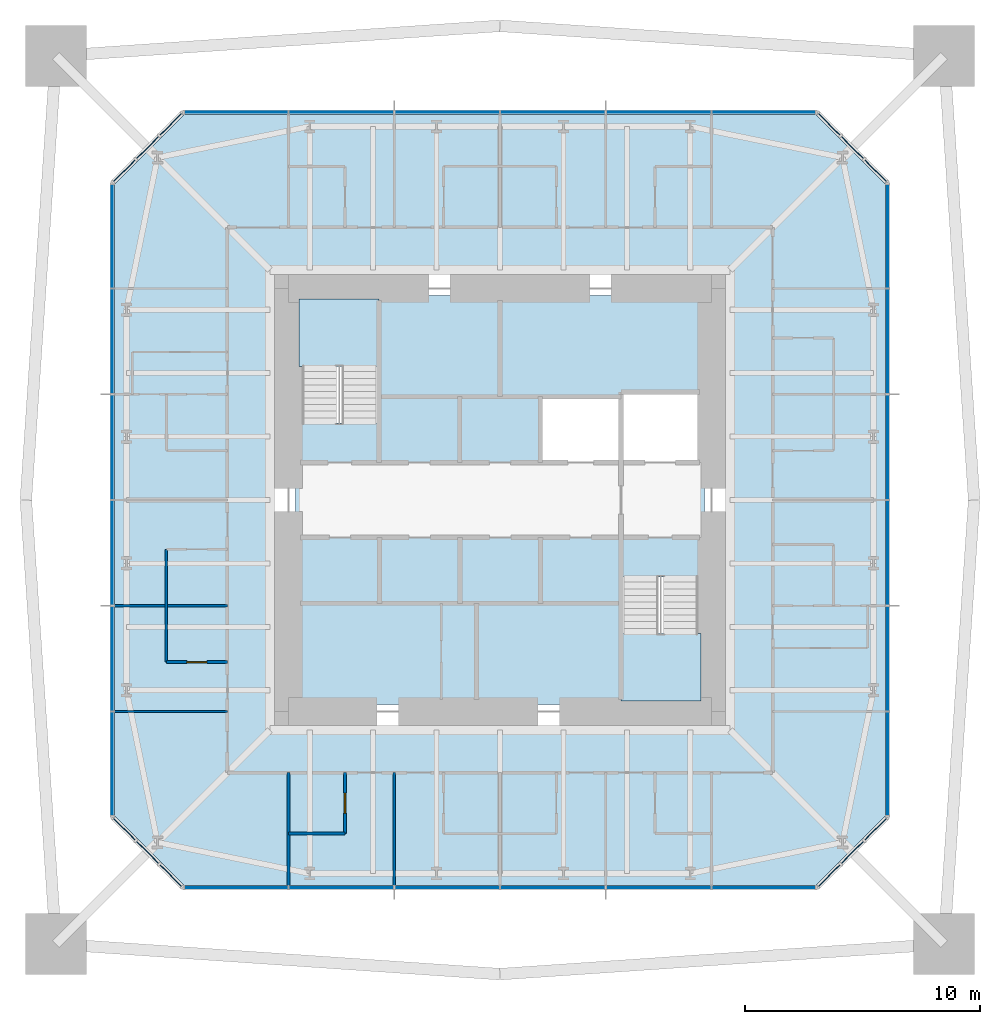
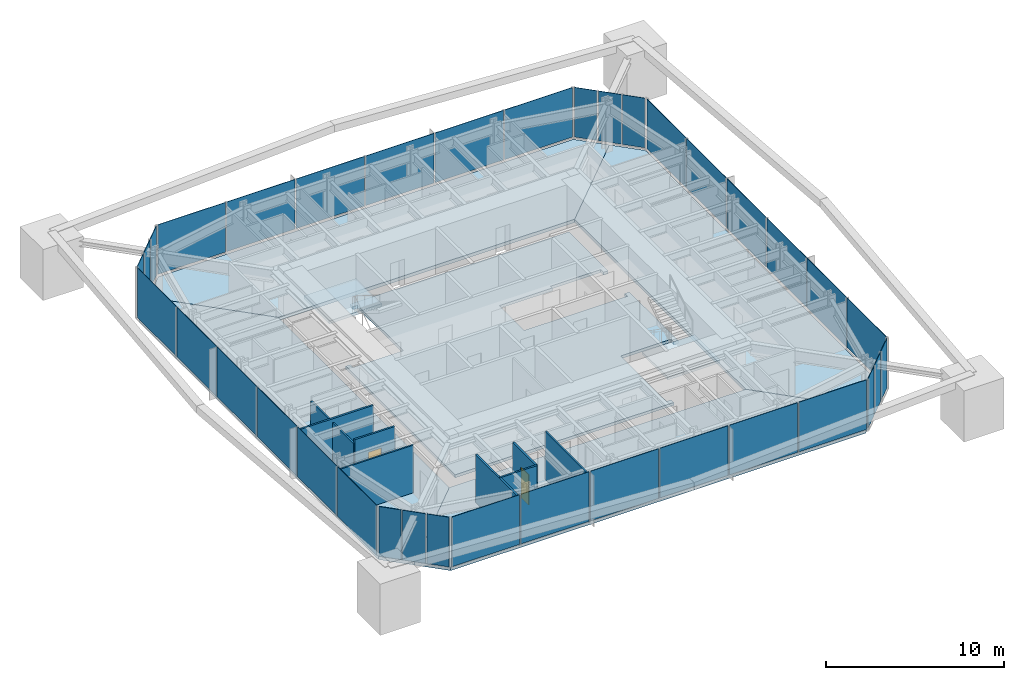
# One storey, part 6 of 11: 36 plates, 8 walls, 7 slabs, 2 doors, 2 openings, 10 elements without a shape of their own.
"""IFC4 building model written with IfcOpenShell, lengths in metres."""

import ifcopenshell
import ifcopenshell.guid

model = None  # the IFC model being written
_history = None  # IfcOwnerHistory: only IFC2X3 demands one
_inside = {}  # id of a spatial element -> (the spatial element, [elements in it])
_under = {}  # id of a project, library or spatial element -> (it, [spatial elements below it])
_declared = {}  # id of a project -> (the project, [libraries it declares])
_typed = {}  # id of a type object -> (the type object, [elements of that type])
_made_of = {}  # id of a material, layer set ... -> (it, [elements and type objects made of it])


def new_model(schema):
    """Start an empty IFC model of exactly this schema.

    Asked for "IFC4X3", IfcOpenShell would pick the latest addendum, in which some entities
    have other attributes; the version numbers below select the first issue.
    IFC2X3 requires an IfcOwnerHistory on every rooted entity: one is made here for all.
    """
    global model, _history
    if schema == "IFC4X3":
        model = ifcopenshell.file(schema_version=(4, 3, 0, 0))
    else:
        model = ifcopenshell.file(schema=schema)
    _inside.clear()
    _under.clear()
    _declared.clear()
    _typed.clear()
    _made_of.clear()
    _history = None
    if model.schema == "IFC2X3":
        org = make("IfcOrganization", Name="unknown")
        user = make(
            "IfcPersonAndOrganization",
            ThePerson=make("IfcPerson", FamilyName="unknown"),
            TheOrganization=org,
        )
        app = make(
            "IfcApplication",
            ApplicationDeveloper=org,
            Version="unknown",
            ApplicationFullName="unknown",
            ApplicationIdentifier="unknown",
        )
        _history = make(
            "IfcOwnerHistory",
            OwningUser=user,
            OwningApplication=app,
            ChangeAction="ADDED",
            CreationDate=0,
        )
    return model


def make(cls, **values):
    """One entity of the class cls with the attributes given. An attribute that is None is left unset."""
    return model.create_entity(
        cls, **{name: value for name, value in values.items() if value is not None}
    )


def rooted(cls, **values):
    """An entity with a GlobalId (a new one), such as an element, a storey or a relation."""
    return make(cls, GlobalId=ifcopenshell.guid.new(), OwnerHistory=_history, **values)


def si_unit(unit_type, name, prefix=None):
    """IfcSIUnit, for example si_unit("LENGTHUNIT", "METRE", prefix="MILLI")."""
    return make("IfcSIUnit", UnitType=unit_type, Prefix=prefix, Name=name)


def assignment(units):
    """IfcUnitAssignment: the units of a project."""
    return None if units is None else make("IfcUnitAssignment", Units=units)


def point(xyz):
    """IfcCartesianPoint."""
    return None if xyz is None else make("IfcCartesianPoint", Coordinates=xyz)


def direction(xyz):
    """IfcDirection."""
    return None if xyz is None else make("IfcDirection", DirectionRatios=xyz)


def frame(location, z_axis=None, x_axis=None):
    """IfcAxis2Placement3D, a coordinate frame: its origin and axes. An axis left out is left unset."""
    return make(
        "IfcAxis2Placement3D",
        Location=point(location),
        Axis=direction(z_axis),
        RefDirection=direction(x_axis),
    )


def frame_2d(location, x_axis=None):
    """IfcAxis2Placement2D, a coordinate frame in the plane: its origin and x axis."""
    return make(
        "IfcAxis2Placement2D", Location=point(location), RefDirection=direction(x_axis)
    )


def origin():
    """The frame at (0, 0, 0) with its axes left unset."""
    return frame((0.0, 0.0, 0.0))


def origin_2d():
    """The frame at (0, 0) in the plane with its x axis left unset."""
    return frame_2d((0.0, 0.0))


def place(relative_to, where):
    """IfcLocalPlacement: puts the frame where relative to a parent placement (None: the world)."""
    return make(
        "IfcLocalPlacement", PlacementRelTo=relative_to, RelativePlacement=where
    )


def context(
    kind, dimensions, precision=None, world=None, true_north=None, identifier=None
):
    """IfcGeometricRepresentationContext, for example the 3D "Model" context."""
    return make(
        "IfcGeometricRepresentationContext",
        ContextIdentifier=identifier,
        ContextType=kind,
        CoordinateSpaceDimension=dimensions,
        Precision=precision,
        WorldCoordinateSystem=world,
        TrueNorth=true_north,
    )


def subcontext(parent, identifier, kind, view, scale=None):
    """IfcGeometricRepresentationSubContext, for example "Body" below "Model"."""
    return make(
        "IfcGeometricRepresentationSubContext",
        ContextIdentifier=identifier,
        ContextType=kind,
        ParentContext=parent,
        TargetScale=scale,
        TargetView=view,
    )


def project(units=None, contexts=None):
    """IfcProject with its units and contexts."""
    return rooted(
        "IfcProject",
        Name="project",
        RepresentationContexts=contexts,
        UnitsInContext=assignment(units),
    )


def spatial(cls, under=None, at=None, **own):
    """A site, building, storey or space (cls), placed at a placement, below another one or the project."""
    s = rooted(cls, ObjectPlacement=at, **own)
    if under is not None:
        _under.setdefault(under.id(), (under, []))[1].append(s)
    return s


def polyline(points):
    """IfcPolyline through the points."""
    return make("IfcPolyline", Points=[point(p) for p in points])


def profile(cls, at=None, kind="AREA", **sizes):
    """A parametric profile (cls). Its sizes go by their IFC names, for example OverallWidth=200.0."""
    return make(cls, ProfileType=kind, Position=at, **sizes)


def rectangle(**sizes):
    """IfcRectangleProfileDef."""
    return profile("IfcRectangleProfileDef", **sizes)


def outline(outer, holes=None, kind="AREA"):
    """IfcArbitraryClosedProfileDef: a profile drawn as a closed curve; with holes, ...WithVoids."""
    if holes is None:
        return make("IfcArbitraryClosedProfileDef", ProfileType=kind, OuterCurve=outer)
    return make(
        "IfcArbitraryProfileDefWithVoids",
        ProfileType=kind,
        OuterCurve=outer,
        InnerCurves=holes,
    )


def extrude(swept, where, along, depth):
    """IfcExtrudedAreaSolid: the profile swept, set in the frame where, extruded along a direction by depth."""
    return make(
        "IfcExtrudedAreaSolid",
        SweptArea=swept,
        Position=where,
        ExtrudedDirection=direction(along),
        Depth=depth,
    )


def shape(context_of_items, identifier, shape_type, items):
    """IfcShapeRepresentation: the items that make up one representation, for example the "Body"."""
    return make(
        "IfcShapeRepresentation",
        ContextOfItems=context_of_items,
        RepresentationIdentifier=identifier,
        RepresentationType=shape_type,
        Items=items,
    )


def material(Name=None, Category=None):
    """IfcMaterial."""
    return make("IfcMaterial", Name=Name, Category=Category)


def layer(
    of_material, thickness, ventilated=None, Name=None, Category=None, Priority=None
):
    """IfcMaterialLayer: one layer of a wall or slab, of a material (None: an air gap)."""
    return make(
        "IfcMaterialLayer",
        Material=of_material,
        LayerThickness=thickness,
        IsVentilated=ventilated,
        Name=Name,
        Category=Category,
        Priority=Priority,
    )


def layer_set(layers, Name=None):
    """IfcMaterialLayerSet."""
    return make("IfcMaterialLayerSet", MaterialLayers=layers, LayerSetName=Name)


def constituent(of_material, Name=None, Category=None, fraction=None):
    """IfcMaterialConstituent: one of the materials an element consists of."""
    return make(
        "IfcMaterialConstituent",
        Name=Name,
        Material=of_material,
        Fraction=fraction,
        Category=Category,
    )


def constituent_set(constituents=None, Name=None):
    """IfcMaterialConstituentSet."""
    return make(
        "IfcMaterialConstituentSet", Name=Name, MaterialConstituents=constituents
    )


def made_of(thing, what):
    """Note that an element or type object is made of a material, layer set ...; save() writes the relation."""
    if what is not None:
        _made_of.setdefault(what.id(), (what, []))[1].append(thing)
    return thing


def type_object(cls, material=None, **own):
    """A type object (cls), such as IfcWallType, which elements share."""
    return made_of(rooted(cls, **own), material)


def element(
    cls,
    number,
    at=None,
    inside=None,
    cuts=None,
    type_object=None,
    material=None,
    context=None,
    identifier="Body",
    shape_type=None,
    held_by="IfcProductDefinitionShape",
    body=None,
    shapes=None,
    **own,
):
    """One element of the class cls, such as IfcWall. Its Tag is "e" and its number.

    at: its placement. inside: the storey or other place that contains it. cuts: it is an
    opening in that element (IfcRelVoidsElement). A single representation is given by context,
    identifier, shape_type and body (its items); several are given by shapes. held_by: the class
    of the entity that holds the representations. save() writes the other relations.
    """
    e = rooted(cls, Tag="e%d" % number, ObjectPlacement=at, **own)
    if body is not None:
        shapes = [shape(context, identifier, shape_type, body)]
    if shapes is not None:
        e.Representation = make(held_by, Representations=shapes)
    if inside is not None:
        _inside.setdefault(inside.id(), (inside, []))[1].append(e)
    if cuts is not None:
        rooted(
            "IfcRelVoidsElement", RelatingBuildingElement=cuts, RelatedOpeningElement=e
        )
    if type_object is not None:
        _typed.setdefault(type_object.id(), (type_object, []))[1].append(e)
    return made_of(e, material)


def fill(opening, filler):
    """IfcRelFillsElement: the door or window that sits in an opening."""
    return rooted(
        "IfcRelFillsElement",
        RelatingOpeningElement=opening,
        RelatedBuildingElement=filler,
    )


def aggregate(whole, parts):
    """IfcRelAggregates: a whole, such as a stair, and the parts it consists of."""
    return rooted("IfcRelAggregates", RelatingObject=whole, RelatedObjects=parts)


def save(model, path):
    """Write the relations noted so far, then the file.

    IfcRelAggregates (storeys below a building ...), IfcRelContainedInSpatialStructure (elements
    in a storey), IfcRelDefinesByType, IfcRelAssociatesMaterial and IfcRelDeclares: one each for
    every whole, place, type object, material and project.
    """
    for whole, parts in _under.values():
        aggregate(whole, parts)
    for where, things in _inside.values():
        rooted(
            "IfcRelContainedInSpatialStructure",
            RelatedElements=things,
            RelatingStructure=where,
        )
    for kind, things in _typed.values():
        rooted("IfcRelDefinesByType", RelatedObjects=things, RelatingType=kind)
    for what, things in _made_of.values():
        rooted("IfcRelAssociatesMaterial", RelatedObjects=things, RelatingMaterial=what)
    for by, libraries in _declared.values():
        rooted("IfcRelDeclares", RelatingContext=by, RelatedDefinitions=libraries)
    model.write(path)


model = new_model("IFC4")

# Units and contexts
model_context = context("Model", 3, precision=1e-05, world=origin(), true_north=direction((0.0, 1.0)))
body_context = subcontext(model_context, "Body", "Model", "MODEL_VIEW")
ifc_project = project(units=[si_unit("LENGTHUNIT", "METRE"), si_unit("AREAUNIT", "SQUARE_METRE"), si_unit("VOLUMEUNIT", "CUBIC_METRE"), si_unit("PLANEANGLEUNIT", "RADIAN"), si_unit("MASSUNIT", "GRAM", prefix="KILO")], contexts=[model_context])

# Site, building, storey
site_placement = place(None, origin())
site = spatial("IfcSite", under=ifc_project, at=site_placement, CompositionType="ELEMENT")
building_placement = place(site_placement, origin())
building = spatial("IfcBuilding", under=site, at=building_placement, Name="Iwan Alto Co-Living Towers", CompositionType="ELEMENT")
storey_placement = place(building_placement, frame((0.0, 0.0, 222.0)))
storey = spatial("IfcBuildingStorey", under=building, at=storey_placement, Name="L60", CompositionType="ELEMENT", Elevation=222.0)

# Slab
ifc_material_1 = material(Name="Concrete f'c 30 MPa", Category="concrete")
ifc_layer_1 = layer(ifc_material_1, 0.199951171875)
ifc_layer_set_1 = layer_set([ifc_layer_1], Name="CORE FLOOR SLAB 200")
slab_type_1 = type_object("IfcSlabType", Name="CORE FLOOR SLAB 200", PredefinedType="FLOOR", material=ifc_layer_set_1)
slab_1_placement = place(storey_placement, frame((0.0, 0.0, -0.199951171875)))
element("IfcSlab", 1, at=slab_1_placement, inside=storey, type_object=slab_type_1, Name="T1 core floor L60", PredefinedType="FLOOR", context=body_context, shape_type="SweptSolid", body=[
    extrude(outline(polyline([(-8.699951171875, 3.580078125), (-8.39990234375, 3.580078125), (-8.39990234375, 3.27001953125), (-5.14990234375, 3.27001953125), (-5.14990234375, 8.39990234375), (-5.4599609375, 8.39990234375), (-5.4599609375, 8.699951171875), (8.699951171875, 8.699951171875), (8.699951171875, 4.2900390625), (8.39990234375, 4.2900390625), (8.39990234375, 4.60009765625), (5.14990234375, 4.60009765625), (5.14990234375, 4.39990234375), (1.717041015625, 4.39990234375), (1.717041015625, 1.60009765625), (5.14990234375, 1.60009765625), (8.39990234375, 1.60009765625), (8.39990234375, 1.909912109375), (8.699951171875, 1.909912109375), (8.699951171875, -3.580078125), (8.39990234375, -3.580078125), (8.39990234375, -3.27001953125), (5.14990234375, -3.27001953125), (5.14990234375, -8.39990234375), (5.4599609375, -8.39990234375), (5.4599609375, -8.699951171875), (-8.699951171875, -8.699951171875), (-8.699951171875, 3.580078125)])), origin(), (0.0, 0.0, 1.0), 0.199951171875),
])

# Curtain wall, plates
ifc_material_2 = material(Name="Bronze aluminium unitised frame", Category="aluminium")
curtain_wall_type_1 = type_object("IfcCurtainWallType", Name="CURTAIN WALL CW-A", PredefinedType="NOTDEFINED", material=ifc_material_2)
curtain_wall_1_placement = place(storey_placement, origin())
curtain_wall_1 = element("IfcCurtainWall", 2, at=curtain_wall_1_placement, inside=storey, type_object=curtain_wall_type_1, Name="T1 curtain wall S L60", PredefinedType="NOTDEFINED")
ifc_material_3 = material(Name="Bronze-tinted insulating glass", Category="glass")
ifc_layer_2 = layer(ifc_material_3, 0.031982421875)
ifc_layer_set_2 = layer_set([ifc_layer_2], Name="CW-A PANEL TINTED IGU 32")
plate_type_1 = type_object("IfcPlateType", Name="CW-A PANEL TINTED IGU 32", PredefinedType="CURTAIN_PANEL", material=ifc_layer_set_2)
plate_1_placement = place(storey_placement, frame((-11.22998046875, -16.5, 0.10009765625), z_axis=(0.0, 0.0, 1.0), x_axis=(1.0, 0.0, 0.0)))
plate_1 = element("IfcPlate", 3, at=plate_1_placement, type_object=plate_type_1, Name="CW-A panel 1.1", PredefinedType="CURTAIN_PANEL", context=body_context, shape_type="SweptSolid", body=[
    extrude(rectangle(XDim=4.3798828125, YDim=0.031982421875, at=origin_2d()), origin(), (0.0, 0.0, 1.0), 3.39990234375),
])
plate_2_placement = place(storey_placement, frame((-6.75, -16.5, 0.10009765625), z_axis=(0.0, 0.0, 1.0), x_axis=(1.0, 0.0, 0.0)))
plate_2 = element("IfcPlate", 4, at=plate_2_placement, type_object=plate_type_1, Name="CW-A panel 2.1", PredefinedType="CURTAIN_PANEL", context=body_context, shape_type="SweptSolid", body=[
    extrude(rectangle(XDim=4.419921875, YDim=0.031982421875, at=origin_2d()), origin(), (0.0, 0.0, 1.0), 3.39990234375),
])
plate_3_placement = place(storey_placement, frame((-2.25, -16.5, 0.10009765625), z_axis=(0.0, 0.0, 1.0), x_axis=(1.0, 0.0, 0.0)))
plate_3 = element("IfcPlate", 5, at=plate_3_placement, type_object=plate_type_1, Name="CW-A panel 3.1", PredefinedType="CURTAIN_PANEL", context=body_context, shape_type="SweptSolid", body=[
    extrude(rectangle(XDim=4.419921875, YDim=0.031982421875, at=origin_2d()), origin(), (0.0, 0.0, 1.0), 3.39990234375),
])
plate_4_placement = place(storey_placement, frame((2.25, -16.5, 0.10009765625), z_axis=(0.0, 0.0, 1.0), x_axis=(1.0, 0.0, 0.0)))
plate_4 = element("IfcPlate", 6, at=plate_4_placement, type_object=plate_type_1, Name="CW-A panel 4.1", PredefinedType="CURTAIN_PANEL", context=body_context, shape_type="SweptSolid", body=[
    extrude(rectangle(XDim=4.419921875, YDim=0.031982421875, at=origin_2d()), origin(), (0.0, 0.0, 1.0), 3.39990234375),
])
plate_5_placement = place(storey_placement, frame((6.75, -16.5, 0.10009765625), z_axis=(0.0, 0.0, 1.0), x_axis=(1.0, 0.0, 0.0)))
plate_5 = element("IfcPlate", 7, at=plate_5_placement, type_object=plate_type_1, Name="CW-A panel 5.1", PredefinedType="CURTAIN_PANEL", context=body_context, shape_type="SweptSolid", body=[
    extrude(rectangle(XDim=4.419921875, YDim=0.031982421875, at=origin_2d()), origin(), (0.0, 0.0, 1.0), 3.39990234375),
])
plate_6_placement = place(storey_placement, frame((11.22998046875, -16.5, 0.10009765625), z_axis=(0.0, 0.0, 1.0), x_axis=(1.0, 0.0, 0.0)))
plate_6 = element("IfcPlate", 8, at=plate_6_placement, type_object=plate_type_1, Name="CW-A panel 6.1", PredefinedType="CURTAIN_PANEL", context=body_context, shape_type="SweptSolid", body=[
    extrude(rectangle(XDim=4.3798828125, YDim=0.031982421875, at=origin_2d()), origin(), (0.0, 0.0, 1.0), 3.39990234375),
])
aggregate(curtain_wall_1, [plate_1, plate_2, plate_3, plate_4, plate_5, plate_6])

curtain_wall_2_placement = place(storey_placement, origin())
curtain_wall_2 = element("IfcCurtainWall", 9, at=curtain_wall_2_placement, inside=storey, type_object=curtain_wall_type_1, Name="T1 curtain wall E L60", PredefinedType="NOTDEFINED")
plate_7_placement = place(storey_placement, frame((16.5, -11.22998046875, 0.10009765625), z_axis=(0.0, 0.0, 1.0), x_axis=(0.0, 1.0, 0.0)))
plate_7 = element("IfcPlate", 10, at=plate_7_placement, type_object=plate_type_1, Name="CW-A panel 1.1", PredefinedType="CURTAIN_PANEL", context=body_context, shape_type="SweptSolid", body=[
    extrude(rectangle(XDim=4.3798828125, YDim=0.031982421875, at=origin_2d()), origin(), (0.0, 0.0, 1.0), 3.39990234375),
])
plate_8_placement = place(storey_placement, frame((16.5, -6.75, 0.10009765625), z_axis=(0.0, 0.0, 1.0), x_axis=(0.0, 1.0, 0.0)))
plate_8 = element("IfcPlate", 11, at=plate_8_placement, type_object=plate_type_1, Name="CW-A panel 2.1", PredefinedType="CURTAIN_PANEL", context=body_context, shape_type="SweptSolid", body=[
    extrude(rectangle(XDim=4.419921875, YDim=0.031982421875, at=origin_2d()), origin(), (0.0, 0.0, 1.0), 3.39990234375),
])
plate_9_placement = place(storey_placement, frame((16.5, -2.25, 0.10009765625), z_axis=(0.0, 0.0, 1.0), x_axis=(0.0, 1.0, 0.0)))
plate_9 = element("IfcPlate", 12, at=plate_9_placement, type_object=plate_type_1, Name="CW-A panel 3.1", PredefinedType="CURTAIN_PANEL", context=body_context, shape_type="SweptSolid", body=[
    extrude(rectangle(XDim=4.419921875, YDim=0.031982421875, at=origin_2d()), origin(), (0.0, 0.0, 1.0), 3.39990234375),
])
plate_10_placement = place(storey_placement, frame((16.5, 2.25, 0.10009765625), z_axis=(0.0, 0.0, 1.0), x_axis=(0.0, 1.0, 0.0)))
plate_10 = element("IfcPlate", 13, at=plate_10_placement, type_object=plate_type_1, Name="CW-A panel 4.1", PredefinedType="CURTAIN_PANEL", context=body_context, shape_type="SweptSolid", body=[
    extrude(rectangle(XDim=4.419921875, YDim=0.031982421875, at=origin_2d()), origin(), (0.0, 0.0, 1.0), 3.39990234375),
])
plate_11_placement = place(storey_placement, frame((16.5, 6.75, 0.10009765625), z_axis=(0.0, 0.0, 1.0), x_axis=(0.0, 1.0, 0.0)))
plate_11 = element("IfcPlate", 14, at=plate_11_placement, type_object=plate_type_1, Name="CW-A panel 5.1", PredefinedType="CURTAIN_PANEL", context=body_context, shape_type="SweptSolid", body=[
    extrude(rectangle(XDim=4.419921875, YDim=0.031982421875, at=origin_2d()), origin(), (0.0, 0.0, 1.0), 3.39990234375),
])
plate_12_placement = place(storey_placement, frame((16.5, 11.22998046875, 0.10009765625), z_axis=(0.0, 0.0, 1.0), x_axis=(0.0, 1.0, 0.0)))
plate_12 = element("IfcPlate", 15, at=plate_12_placement, type_object=plate_type_1, Name="CW-A panel 6.1", PredefinedType="CURTAIN_PANEL", context=body_context, shape_type="SweptSolid", body=[
    extrude(rectangle(XDim=4.3798828125, YDim=0.031982421875, at=origin_2d()), origin(), (0.0, 0.0, 1.0), 3.39990234375),
])
aggregate(curtain_wall_2, [plate_7, plate_8, plate_9, plate_10, plate_11, plate_12])

curtain_wall_3_placement = place(storey_placement, origin())
curtain_wall_3 = element("IfcCurtainWall", 16, at=curtain_wall_3_placement, inside=storey, type_object=curtain_wall_type_1, Name="T1 curtain wall N L60", PredefinedType="NOTDEFINED")
plate_13_placement = place(storey_placement, frame((11.22998046875, 16.5, 0.10009765625), z_axis=(0.0, 0.0, 1.0), x_axis=(-1.0, 0.0, 0.0)))
plate_13 = element("IfcPlate", 17, at=plate_13_placement, type_object=plate_type_1, Name="CW-A panel 1.1", PredefinedType="CURTAIN_PANEL", context=body_context, shape_type="SweptSolid", body=[
    extrude(rectangle(XDim=4.3798828125, YDim=0.031982421875, at=origin_2d()), origin(), (0.0, 0.0, 1.0), 3.39990234375),
])
plate_14_placement = place(storey_placement, frame((6.75, 16.5, 0.10009765625), z_axis=(0.0, 0.0, 1.0), x_axis=(-1.0, 0.0, 0.0)))
plate_14 = element("IfcPlate", 18, at=plate_14_placement, type_object=plate_type_1, Name="CW-A panel 2.1", PredefinedType="CURTAIN_PANEL", context=body_context, shape_type="SweptSolid", body=[
    extrude(rectangle(XDim=4.419921875, YDim=0.031982421875, at=origin_2d()), origin(), (0.0, 0.0, 1.0), 3.39990234375),
])
plate_15_placement = place(storey_placement, frame((2.25, 16.5, 0.10009765625), z_axis=(0.0, 0.0, 1.0), x_axis=(-1.0, 0.0, 0.0)))
plate_15 = element("IfcPlate", 19, at=plate_15_placement, type_object=plate_type_1, Name="CW-A panel 3.1", PredefinedType="CURTAIN_PANEL", context=body_context, shape_type="SweptSolid", body=[
    extrude(rectangle(XDim=4.419921875, YDim=0.031982421875, at=origin_2d()), origin(), (0.0, 0.0, 1.0), 3.39990234375),
])
plate_16_placement = place(storey_placement, frame((-2.25, 16.5, 0.10009765625), z_axis=(0.0, 0.0, 1.0), x_axis=(-1.0, 0.0, 0.0)))
plate_16 = element("IfcPlate", 20, at=plate_16_placement, type_object=plate_type_1, Name="CW-A panel 4.1", PredefinedType="CURTAIN_PANEL", context=body_context, shape_type="SweptSolid", body=[
    extrude(rectangle(XDim=4.419921875, YDim=0.031982421875, at=origin_2d()), origin(), (0.0, 0.0, 1.0), 3.39990234375),
])
plate_17_placement = place(storey_placement, frame((-6.75, 16.5, 0.10009765625), z_axis=(0.0, 0.0, 1.0), x_axis=(-1.0, 0.0, 0.0)))
plate_17 = element("IfcPlate", 21, at=plate_17_placement, type_object=plate_type_1, Name="CW-A panel 5.1", PredefinedType="CURTAIN_PANEL", context=body_context, shape_type="SweptSolid", body=[
    extrude(rectangle(XDim=4.419921875, YDim=0.031982421875, at=origin_2d()), origin(), (0.0, 0.0, 1.0), 3.39990234375),
])
plate_18_placement = place(storey_placement, frame((-11.22998046875, 16.5, 0.10009765625), z_axis=(0.0, 0.0, 1.0), x_axis=(-1.0, 0.0, 0.0)))
plate_18 = element("IfcPlate", 22, at=plate_18_placement, type_object=plate_type_1, Name="CW-A panel 6.1", PredefinedType="CURTAIN_PANEL", context=body_context, shape_type="SweptSolid", body=[
    extrude(rectangle(XDim=4.3798828125, YDim=0.031982421875, at=origin_2d()), origin(), (0.0, 0.0, 1.0), 3.39990234375),
])
aggregate(curtain_wall_3, [plate_13, plate_14, plate_15, plate_16, plate_17, plate_18])

curtain_wall_4_placement = place(storey_placement, origin())
curtain_wall_4 = element("IfcCurtainWall", 23, at=curtain_wall_4_placement, inside=storey, type_object=curtain_wall_type_1, Name="T1 curtain wall W L60", PredefinedType="NOTDEFINED")
plate_19_placement = place(storey_placement, frame((-16.5, 11.22998046875, 0.10009765625), z_axis=(0.0, 0.0, 1.0), x_axis=(0.0, -1.0, 0.0)))
plate_19 = element("IfcPlate", 24, at=plate_19_placement, type_object=plate_type_1, Name="CW-A panel 1.1", PredefinedType="CURTAIN_PANEL", context=body_context, shape_type="SweptSolid", body=[
    extrude(rectangle(XDim=4.3798828125, YDim=0.031982421875, at=origin_2d()), origin(), (0.0, 0.0, 1.0), 3.39990234375),
])
plate_20_placement = place(storey_placement, frame((-16.5, 6.75, 0.10009765625), z_axis=(0.0, 0.0, 1.0), x_axis=(0.0, -1.0, 0.0)))
plate_20 = element("IfcPlate", 25, at=plate_20_placement, type_object=plate_type_1, Name="CW-A panel 2.1", PredefinedType="CURTAIN_PANEL", context=body_context, shape_type="SweptSolid", body=[
    extrude(rectangle(XDim=4.419921875, YDim=0.031982421875, at=origin_2d()), origin(), (0.0, 0.0, 1.0), 3.39990234375),
])
plate_21_placement = place(storey_placement, frame((-16.5, 2.25, 0.10009765625), z_axis=(0.0, 0.0, 1.0), x_axis=(0.0, -1.0, 0.0)))
plate_21 = element("IfcPlate", 26, at=plate_21_placement, type_object=plate_type_1, Name="CW-A panel 3.1", PredefinedType="CURTAIN_PANEL", context=body_context, shape_type="SweptSolid", body=[
    extrude(rectangle(XDim=4.419921875, YDim=0.031982421875, at=origin_2d()), origin(), (0.0, 0.0, 1.0), 3.39990234375),
])
plate_22_placement = place(storey_placement, frame((-16.5, -2.25, 0.10009765625), z_axis=(0.0, 0.0, 1.0), x_axis=(0.0, -1.0, 0.0)))
plate_22 = element("IfcPlate", 27, at=plate_22_placement, type_object=plate_type_1, Name="CW-A panel 4.1", PredefinedType="CURTAIN_PANEL", context=body_context, shape_type="SweptSolid", body=[
    extrude(rectangle(XDim=4.419921875, YDim=0.031982421875, at=origin_2d()), origin(), (0.0, 0.0, 1.0), 3.39990234375),
])
plate_23_placement = place(storey_placement, frame((-16.5, -6.75, 0.10009765625), z_axis=(0.0, 0.0, 1.0), x_axis=(0.0, -1.0, 0.0)))
plate_23 = element("IfcPlate", 28, at=plate_23_placement, type_object=plate_type_1, Name="CW-A panel 5.1", PredefinedType="CURTAIN_PANEL", context=body_context, shape_type="SweptSolid", body=[
    extrude(rectangle(XDim=4.419921875, YDim=0.031982421875, at=origin_2d()), origin(), (0.0, 0.0, 1.0), 3.39990234375),
])
plate_24_placement = place(storey_placement, frame((-16.5, -11.22998046875, 0.10009765625), z_axis=(0.0, 0.0, 1.0), x_axis=(0.0, -1.0, 0.0)))
plate_24 = element("IfcPlate", 29, at=plate_24_placement, type_object=plate_type_1, Name="CW-A panel 6.1", PredefinedType="CURTAIN_PANEL", context=body_context, shape_type="SweptSolid", body=[
    extrude(rectangle(XDim=4.3798828125, YDim=0.031982421875, at=origin_2d()), origin(), (0.0, 0.0, 1.0), 3.39990234375),
])
aggregate(curtain_wall_4, [plate_19, plate_20, plate_21, plate_22, plate_23, plate_24])

ifc_material_4 = material(Name="Bronze aluminium unitised frame", Category="aluminium")
curtain_wall_type_2 = type_object("IfcCurtainWallType", Name="CURTAIN WALL CW-B", PredefinedType="NOTDEFINED", material=ifc_material_4)
curtain_wall_5_placement = place(storey_placement, origin())
curtain_wall_5 = element("IfcCurtainWall", 30, at=curtain_wall_5_placement, inside=storey, type_object=curtain_wall_type_2, Name="T1 chamfer curtain wall SE L60", PredefinedType="NOTDEFINED")
ifc_material_5 = material(Name="Bronze-tinted insulating glass", Category="glass")
ifc_layer_3 = layer(ifc_material_5, 0.031982421875)
ifc_layer_set_3 = layer_set([ifc_layer_3], Name="CW-B PANEL TINTED IGU 32")
plate_type_2 = type_object("IfcPlateType", Name="CW-B PANEL TINTED IGU 32", PredefinedType="CURTAIN_PANEL", material=ifc_layer_set_3)
plate_25_placement = place(storey_placement, frame((14.01416015625, -15.98583984375, 0.10009765625), z_axis=(0.0, 0.0, 1.0), x_axis=(0.707106781187, 0.707106781187, 0.0)))
plate_25 = element("IfcPlate", 31, at=plate_25_placement, type_object=plate_type_2, Name="CW-B panel 1.1", PredefinedType="CURTAIN_PANEL", context=body_context, shape_type="SweptSolid", body=[
    extrude(rectangle(XDim=1.294189453125, YDim=0.031982421875, at=origin_2d()), origin(), (0.0, 0.0, 1.0), 3.39990234375),
])
plate_26_placement = place(storey_placement, frame((15.0, -15.0, 0.10009765625), z_axis=(0.0, 0.0, 1.0), x_axis=(0.707106781187, 0.707106781187, 0.0)))
plate_26 = element("IfcPlate", 32, at=plate_26_placement, type_object=plate_type_2, Name="CW-B panel 2.1", PredefinedType="CURTAIN_PANEL", context=body_context, shape_type="SweptSolid", body=[
    extrude(rectangle(XDim=1.334228515625, YDim=0.031982421875, at=origin_2d()), origin(), (0.0, 0.0, 1.0), 3.39990234375),
])
plate_27_placement = place(storey_placement, frame((15.98583984375, -14.01416015625, 0.10009765625), z_axis=(0.0, 0.0, 1.0), x_axis=(0.707106781187, 0.707106781187, 0.0)))
plate_27 = element("IfcPlate", 33, at=plate_27_placement, type_object=plate_type_2, Name="CW-B panel 3.1", PredefinedType="CURTAIN_PANEL", context=body_context, shape_type="SweptSolid", body=[
    extrude(rectangle(XDim=1.294189453125, YDim=0.031982421875, at=origin_2d()), origin(), (0.0, 0.0, 1.0), 3.39990234375),
])
aggregate(curtain_wall_5, [plate_25, plate_26, plate_27])

curtain_wall_6_placement = place(storey_placement, origin())
curtain_wall_6 = element("IfcCurtainWall", 34, at=curtain_wall_6_placement, inside=storey, type_object=curtain_wall_type_2, Name="T1 chamfer curtain wall NE L60", PredefinedType="NOTDEFINED")
plate_28_placement = place(storey_placement, frame((15.98583984375, 14.01416015625, 0.10009765625), z_axis=(0.0, 0.0, 1.0), x_axis=(-0.707106781187, 0.707106781187, 0.0)))
plate_28 = element("IfcPlate", 35, at=plate_28_placement, type_object=plate_type_2, Name="CW-B panel 1.1", PredefinedType="CURTAIN_PANEL", context=body_context, shape_type="SweptSolid", body=[
    extrude(rectangle(XDim=1.294189453125, YDim=0.031982421875, at=origin_2d()), origin(), (0.0, 0.0, 1.0), 3.39990234375),
])
plate_29_placement = place(storey_placement, frame((15.0, 15.0, 0.10009765625), z_axis=(0.0, 0.0, 1.0), x_axis=(-0.707106781187, 0.707106781187, 0.0)))
plate_29 = element("IfcPlate", 36, at=plate_29_placement, type_object=plate_type_2, Name="CW-B panel 2.1", PredefinedType="CURTAIN_PANEL", context=body_context, shape_type="SweptSolid", body=[
    extrude(rectangle(XDim=1.334228515625, YDim=0.031982421875, at=origin_2d()), origin(), (0.0, 0.0, 1.0), 3.39990234375),
])
plate_30_placement = place(storey_placement, frame((14.01416015625, 15.98583984375, 0.10009765625), z_axis=(0.0, 0.0, 1.0), x_axis=(-0.707106781187, 0.707106781187, 0.0)))
plate_30 = element("IfcPlate", 37, at=plate_30_placement, type_object=plate_type_2, Name="CW-B panel 3.1", PredefinedType="CURTAIN_PANEL", context=body_context, shape_type="SweptSolid", body=[
    extrude(rectangle(XDim=1.294189453125, YDim=0.031982421875, at=origin_2d()), origin(), (0.0, 0.0, 1.0), 3.39990234375),
])
aggregate(curtain_wall_6, [plate_28, plate_29, plate_30])

curtain_wall_7_placement = place(storey_placement, origin())
curtain_wall_7 = element("IfcCurtainWall", 38, at=curtain_wall_7_placement, inside=storey, type_object=curtain_wall_type_2, Name="T1 chamfer curtain wall NW L60", PredefinedType="NOTDEFINED")
plate_31_placement = place(storey_placement, frame((-14.01416015625, 15.98583984375, 0.10009765625), z_axis=(0.0, 0.0, 1.0), x_axis=(-0.707106781187, -0.707106781187, 0.0)))
plate_31 = element("IfcPlate", 39, at=plate_31_placement, type_object=plate_type_2, Name="CW-B panel 1.1", PredefinedType="CURTAIN_PANEL", context=body_context, shape_type="SweptSolid", body=[
    extrude(rectangle(XDim=1.294189453125, YDim=0.031982421875, at=origin_2d()), origin(), (0.0, 0.0, 1.0), 3.39990234375),
])
plate_32_placement = place(storey_placement, frame((-15.0, 15.0, 0.10009765625), z_axis=(0.0, 0.0, 1.0), x_axis=(-0.707106781187, -0.707106781187, 0.0)))
plate_32 = element("IfcPlate", 40, at=plate_32_placement, type_object=plate_type_2, Name="CW-B panel 2.1", PredefinedType="CURTAIN_PANEL", context=body_context, shape_type="SweptSolid", body=[
    extrude(rectangle(XDim=1.334228515625, YDim=0.031982421875, at=origin_2d()), origin(), (0.0, 0.0, 1.0), 3.39990234375),
])
plate_33_placement = place(storey_placement, frame((-15.98583984375, 14.01416015625, 0.10009765625), z_axis=(0.0, 0.0, 1.0), x_axis=(-0.707106781187, -0.707106781187, 0.0)))
plate_33 = element("IfcPlate", 41, at=plate_33_placement, type_object=plate_type_2, Name="CW-B panel 3.1", PredefinedType="CURTAIN_PANEL", context=body_context, shape_type="SweptSolid", body=[
    extrude(rectangle(XDim=1.294189453125, YDim=0.031982421875, at=origin_2d()), origin(), (0.0, 0.0, 1.0), 3.39990234375),
])
aggregate(curtain_wall_7, [plate_31, plate_32, plate_33])

curtain_wall_8_placement = place(storey_placement, origin())
curtain_wall_8 = element("IfcCurtainWall", 42, at=curtain_wall_8_placement, inside=storey, type_object=curtain_wall_type_2, Name="T1 chamfer curtain wall SW L60", PredefinedType="NOTDEFINED")
plate_34_placement = place(storey_placement, frame((-15.98583984375, -14.01416015625, 0.10009765625), z_axis=(0.0, 0.0, 1.0), x_axis=(0.707106781187, -0.707106781187, 0.0)))
plate_34 = element("IfcPlate", 43, at=plate_34_placement, type_object=plate_type_2, Name="CW-B panel 1.1", PredefinedType="CURTAIN_PANEL", context=body_context, shape_type="SweptSolid", body=[
    extrude(rectangle(XDim=1.294189453125, YDim=0.031982421875, at=origin_2d()), origin(), (0.0, 0.0, 1.0), 3.39990234375),
])
plate_35_placement = place(storey_placement, frame((-15.0, -15.0, 0.10009765625), z_axis=(0.0, 0.0, 1.0), x_axis=(0.707106781187, -0.707106781187, 0.0)))
plate_35 = element("IfcPlate", 44, at=plate_35_placement, type_object=plate_type_2, Name="CW-B panel 2.1", PredefinedType="CURTAIN_PANEL", context=body_context, shape_type="SweptSolid", body=[
    extrude(rectangle(XDim=1.334228515625, YDim=0.031982421875, at=origin_2d()), origin(), (0.0, 0.0, 1.0), 3.39990234375),
])
plate_36_placement = place(storey_placement, frame((-14.01416015625, -15.98583984375, 0.10009765625), z_axis=(0.0, 0.0, 1.0), x_axis=(0.707106781187, -0.707106781187, 0.0)))
plate_36 = element("IfcPlate", 45, at=plate_36_placement, type_object=plate_type_2, Name="CW-B panel 3.1", PredefinedType="CURTAIN_PANEL", context=body_context, shape_type="SweptSolid", body=[
    extrude(rectangle(XDim=1.294189453125, YDim=0.031982421875, at=origin_2d()), origin(), (0.0, 0.0, 1.0), 3.39990234375),
])
aggregate(curtain_wall_8, [plate_34, plate_35, plate_36])

# Stair, slab
ifc_material_6 = material(Name="Steel ASTM A36", Category="steel")
ifc_constituent_1 = constituent(ifc_material_6, Name="Stringers", Category="LoadBearing")
ifc_material_7 = material(Name="Concrete f'c 30 MPa", Category="concrete")
ifc_constituent_2 = constituent(ifc_material_7, Name="Tread fill", Category="Finish")
ifc_constituent_set = constituent_set(constituents=[ifc_constituent_1, ifc_constituent_2], Name="STAIR 3500 TWO-FLIGHT T1 CORE")
stair_type = type_object("IfcStairType", Name="STAIR 3500 TWO-FLIGHT T1 CORE", PredefinedType="HALF_TURN_STAIR", material=ifc_constituent_set)
stair_1_placement = place(storey_placement, origin())
stair_1 = element("IfcStair", 46, at=stair_1_placement, inside=storey, type_object=stair_type, Name="Stair T1-S1 L60 to L61", PredefinedType="HALF_TURN_STAIR")
ifc_material_8 = material(Name="Concrete f'c 30 MPa", Category="concrete")
ifc_layer_4 = layer(ifc_material_8, 0.199951171875)
ifc_layer_set_4 = layer_set([ifc_layer_4], Name="STAIR LANDING 200")
slab_type_2 = type_object("IfcSlabType", Name="STAIR LANDING 200", PredefinedType="LANDING", material=ifc_layer_set_4)
slab_2_placement = place(storey_placement, frame((0.0, 0.0, 1.550048828125)))
slab_2 = element("IfcSlab", 47, at=slab_2_placement, type_object=slab_type_2, Name="T1-S1 landing 1", PredefinedType="LANDING", context=body_context, shape_type="SweptSolid", body=[
    extrude(outline(polyline([(-8.550048828125, 5.68994140625), (-8.550048828125, 8.550048828125), (-5.14990234375, 8.550048828125), (-5.14990234375, 5.68994140625), (-8.550048828125, 5.68994140625)])), origin(), (0.0, 0.0, 1.0), 0.199951171875),
])
aggregate(stair_1, [slab_2])

stair_2_placement = place(storey_placement, origin())
stair_2 = element("IfcStair", 48, at=stair_2_placement, inside=storey, type_object=stair_type, Name="Stair T1-S2 L60 to L61", PredefinedType="HALF_TURN_STAIR")
slab_3_placement = place(storey_placement, frame((0.0, 0.0, 1.550048828125)))
slab_3 = element("IfcSlab", 49, at=slab_3_placement, type_object=slab_type_2, Name="T1-S2 landing 1", PredefinedType="LANDING", context=body_context, shape_type="SweptSolid", body=[
    extrude(outline(polyline([(5.14990234375, -5.68994140625), (5.14990234375, -8.550048828125), (8.550048828125, -8.550048828125), (8.550048828125, -5.68994140625), (5.14990234375, -5.68994140625)])), origin(), (0.0, 0.0, 1.0), 0.199951171875),
])
aggregate(stair_2, [slab_3])

# Slabs
ifc_material_9 = material(Name="Concrete f'c 30 MPa", Category="concrete")
ifc_layer_5 = layer(ifc_material_9, 0.22998046875)
ifc_layer_set_5 = layer_set([ifc_layer_5], Name="T1 FLOOR SLAB 230")
slab_type_3 = type_object("IfcSlabType", Name="T1 FLOOR SLAB 230", PredefinedType="FLOOR", material=ifc_layer_set_5)
slab_4_placement = place(storey_placement, frame((0.0, 0.0, -0.22998046875)))
element("IfcSlab", 50, at=slab_4_placement, inside=storey, type_object=slab_type_3, Name="T1 floor slab L60 S pour", PredefinedType="FLOOR", context=body_context, shape_type="SweptSolid", body=[
    extrude(outline(polyline([(13.44140625, -16.39990234375), (-13.44140625, -16.39990234375), (-14.920654296875, -14.920654296875), (-9.60009765625, -9.60009765625), (9.60009765625, -9.60009765625), (14.920654296875, -14.920654296875), (13.44140625, -16.39990234375)])), origin(), (0.0, 0.0, 1.0), 0.22998046875),
])
slab_5_placement = place(storey_placement, frame((0.0, 0.0, -0.22998046875)))
element("IfcSlab", 51, at=slab_5_placement, inside=storey, type_object=slab_type_3, Name="T1 floor slab L60 E pour", PredefinedType="FLOOR", context=body_context, shape_type="SweptSolid", body=[
    extrude(outline(polyline([(16.39990234375, 13.44140625), (16.39990234375, -13.44140625), (14.920654296875, -14.920654296875), (9.60009765625, -9.60009765625), (9.60009765625, 9.60009765625), (14.920654296875, 14.920654296875), (16.39990234375, 13.44140625)])), origin(), (0.0, 0.0, 1.0), 0.22998046875),
])
slab_6_placement = place(storey_placement, frame((0.0, 0.0, -0.22998046875)))
element("IfcSlab", 52, at=slab_6_placement, inside=storey, type_object=slab_type_3, Name="T1 floor slab L60 N pour", PredefinedType="FLOOR", context=body_context, shape_type="SweptSolid", body=[
    extrude(outline(polyline([(-13.44140625, 16.39990234375), (13.44140625, 16.39990234375), (14.920654296875, 14.920654296875), (9.60009765625, 9.60009765625), (-9.60009765625, 9.60009765625), (-14.920654296875, 14.920654296875), (-13.44140625, 16.39990234375)])), origin(), (0.0, 0.0, 1.0), 0.22998046875),
])
slab_7_placement = place(storey_placement, frame((0.0, 0.0, -0.22998046875)))
element("IfcSlab", 53, at=slab_7_placement, inside=storey, type_object=slab_type_3, Name="T1 floor slab L60 W pour", PredefinedType="FLOOR", context=body_context, shape_type="SweptSolid", body=[
    extrude(outline(polyline([(-16.39990234375, 13.44140625), (-14.920654296875, 14.920654296875), (-9.60009765625, 9.60009765625), (-9.60009765625, -9.60009765625), (-14.920654296875, -14.920654296875), (-16.39990234375, -13.44140625), (-16.39990234375, 13.44140625)])), origin(), (0.0, 0.0, 1.0), 0.22998046875),
])

# Walls
ifc_material_10 = material(Name="Gypsum board")
ifc_layer_6 = layer(ifc_material_10, 0.012451171875, Name="Board", Category="Finish")
ifc_material_11 = material(Name="Steel ASTM A1003 ST33H cold-formed studs", Category="steel")
ifc_layer_7 = layer(ifc_material_11, 0.074951171875, Name="Studs", Category="Framing")
ifc_layer_8 = layer(ifc_material_10, 0.012451171875, Name="Board", Category="Finish")
ifc_layer_set_6 = layer_set([ifc_layer_6, ifc_layer_7, ifc_layer_8], Name="PARTITION 100")
wall_type_1 = type_object("IfcWallType", Name="PARTITION 100", PredefinedType="PARTITIONING", material=ifc_layer_set_6)
for number, where, z_axis, x_axis, name in (
    (54, (-16.43994140625, -9.0, 0.0), (0.0, 0.0, 1.0), (1.0, 0.0, 0.0), "Partition L60"),
    (55, (-4.5, -16.43994140625, 0.0), (0.0, 0.0, 1.0), (0.0, 1.0, 0.0), "Partition L60"),
):
    element("IfcWall", number, at=place(storey_placement, frame(where, z_axis=z_axis, x_axis=x_axis)), inside=storey, type_object=wall_type_1, Name=name, PredefinedType="PARTITIONING", context=body_context, shape_type="SweptSolid", body=[
        extrude(rectangle(XDim=4.83984375, YDim=0.10009765625, at=frame_2d((2.419921875, 0.0))), origin(), (0.0, 0.0, 1.0), 3.27001953125),
    ])
wall_1_placement = place(storey_placement, frame((-14.199951171875, -6.89990234375, 0.0), z_axis=(0.0, 0.0, 1.0), x_axis=(0.0, 1.0, 0.0)))
element("IfcWall", 56, at=wall_1_placement, inside=storey, type_object=wall_type_1, Name="Partition L60", PredefinedType="PARTITIONING", context=body_context, shape_type="SweptSolid", body=[
    extrude(rectangle(XDim=4.7998046875, YDim=0.10009765625, at=frame_2d((2.39990234375, 0.0))), origin(), (0.0, 0.0, 1.0), 3.0),
])
ifc_material_12 = material(Name="Cement board")
ifc_layer_9 = layer(ifc_material_12, 0.012451171875, Name="Board", Category="Finish")
ifc_layer_10 = layer(ifc_material_11, 0.094970703125, Name="Studs", Category="Framing")
ifc_layer_11 = layer(ifc_material_12, 0.012451171875, Name="Board", Category="Finish")
ifc_layer_set_7 = layer_set([ifc_layer_9, ifc_layer_10, ifc_layer_11], Name="WET AREA PARTITION 120")
wall_type_2 = type_object("IfcWallType", Name="WET AREA PARTITION 120", PredefinedType="PARTITIONING", material=ifc_layer_set_7)
wall_2_placement = place(storey_placement, frame((-9.0, -14.199951171875, 0.0), z_axis=(0.0, 0.0, 1.0), x_axis=(1.0, 0.0, 0.0)))
element("IfcWall", 57, at=wall_2_placement, inside=storey, type_object=wall_type_2, Name="Partition L60", PredefinedType="PARTITIONING", context=body_context, shape_type="SweptSolid", body=[
    extrude(rectangle(XDim=2.39990234375, YDim=0.1201171875, at=frame_2d((1.199951171875, 0.0))), origin(), (0.0, 0.0, 1.0), 3.27001953125),
])

# Wall, opening, door
wall_3_placement = place(storey_placement, frame((-14.199951171875, -6.89990234375, 0.0), z_axis=(0.0, 0.0, 1.0), x_axis=(1.0, 0.0, 0.0)))
wall_3 = element("IfcWall", 58, at=wall_3_placement, inside=storey, type_object=wall_type_2, Name="Partition L60", PredefinedType="PARTITIONING", context=body_context, shape_type="SweptSolid", body=[
    extrude(rectangle(XDim=2.599853515625, YDim=0.1201171875, at=frame_2d((1.2998046875, 0.0))), origin(), (0.0, 0.0, 1.0), 3.27001953125),
])
opening_1_placement = place(wall_3_placement, frame((0.875, 0.0, 0.0)))
opening_1 = element("IfcOpeningElement", 59, at=opening_1_placement, cuts=wall_3, Name="Opening D2", PredefinedType="OPENING", context=body_context, shape_type="SweptSolid", body=[
    extrude(rectangle(XDim=0.85009765625, YDim=2.10009765625, at=frame_2d((0.425048828125, 1.050048828125))), frame((0.0, 0.070068359375, 0.0), z_axis=(0.0, -1.0, 0.0), x_axis=(1.0, 0.0, 0.0)), (0.0, 0.0, 1.0), 0.14013671875),
])
ifc_material_13 = material(Name="Timber leaf in steel frame", Category="steel")
door_type = type_object("IfcDoorType", Name="ROOM DOOR 850X2100", OperationType="SINGLE_SWING_LEFT", PredefinedType="DOOR", material=ifc_material_13)
door_1_placement = place(opening_1_placement, frame((0.85009765625, 0.0, 0.0), z_axis=(0.0, 0.0, 1.0), x_axis=(-1.0, 0.0, 0.0)))
door_1 = element("IfcDoor", 60, at=door_1_placement, inside=storey, type_object=door_type, Name="En-suite shower room door L60", OperationType="SINGLE_SWING_LEFT", OverallHeight=2.10009765625, OverallWidth=0.85009765625, PredefinedType="DOOR", context=body_context, shape_type="SweptSolid", body=[
    extrude(rectangle(XDim=0.85009765625, YDim=2.10009765625, at=frame_2d((0.425048828125, 1.050048828125))), frame((0.0, 0.02490234375, 0.0), z_axis=(0.0, -1.0, 0.0), x_axis=(1.0, 0.0, 0.0)), (0.0, 0.0, 1.0), 0.050048828125),
])
fill(opening_1, door_1)

# Wall
wall_4_placement = place(storey_placement, frame((-16.43994140625, -4.5, 0.0), z_axis=(0.0, 0.0, 1.0), x_axis=(1.0, 0.0, 0.0)))
element("IfcWall", 61, at=wall_4_placement, inside=storey, type_object=wall_type_2, Name="Partition L60", PredefinedType="PARTITIONING", context=body_context, shape_type="SweptSolid", body=[
    extrude(rectangle(XDim=4.83984375, YDim=0.1201171875, at=frame_2d((2.419921875, 0.0))), origin(), (0.0, 0.0, 1.0), 3.27001953125),
])

# Wall, opening, door
wall_5_placement = place(storey_placement, frame((-6.60009765625, -14.199951171875, 0.0), z_axis=(0.0, 0.0, 1.0), x_axis=(0.0, 1.0, 0.0)))
wall_5 = element("IfcWall", 62, at=wall_5_placement, inside=storey, type_object=wall_type_2, Name="Partition L60", PredefinedType="PARTITIONING", context=body_context, shape_type="SweptSolid", body=[
    extrude(rectangle(XDim=2.599853515625, YDim=0.1201171875, at=frame_2d((1.2998046875, 0.0))), origin(), (0.0, 0.0, 1.0), 3.27001953125),
])
opening_2_placement = place(wall_5_placement, frame((0.875, 0.0, 0.0)))
opening_2 = element("IfcOpeningElement", 63, at=opening_2_placement, cuts=wall_5, Name="Opening D2", PredefinedType="OPENING", context=body_context, shape_type="SweptSolid", body=[
    extrude(rectangle(XDim=0.85009765625, YDim=2.10009765625, at=frame_2d((0.425048828125, 1.050048828125))), frame((0.0, 0.070068359375, 0.0), z_axis=(0.0, -1.0, 0.0), x_axis=(1.0, 0.0, 0.0)), (0.0, 0.0, 1.0), 0.14013671875),
])
door_2_placement = place(opening_2_placement, frame((0.85009765625, 0.0, 0.0), z_axis=(0.0, 0.0, 1.0), x_axis=(-1.0, 0.0, 0.0)))
door_2 = element("IfcDoor", 64, at=door_2_placement, inside=storey, type_object=door_type, Name="En-suite shower room door L60", OperationType="SINGLE_SWING_LEFT", OverallHeight=2.10009765625, OverallWidth=0.85009765625, PredefinedType="DOOR", context=body_context, shape_type="SweptSolid", body=[
    extrude(rectangle(XDim=0.85009765625, YDim=2.10009765625, at=frame_2d((0.425048828125, 1.050048828125))), frame((0.0, 0.02490234375, 0.0), z_axis=(0.0, -1.0, 0.0), x_axis=(1.0, 0.0, 0.0)), (0.0, 0.0, 1.0), 0.050048828125),
])
fill(opening_2, door_2)

# Wall
wall_6_placement = place(storey_placement, frame((-9.0, -16.43994140625, 0.0), z_axis=(0.0, 0.0, 1.0), x_axis=(0.0, 1.0, 0.0)))
element("IfcWall", 65, at=wall_6_placement, inside=storey, type_object=wall_type_2, Name="Partition L60", PredefinedType="PARTITIONING", context=body_context, shape_type="SweptSolid", body=[
    extrude(rectangle(XDim=4.83984375, YDim=0.1201171875, at=frame_2d((2.419921875, 0.0))), origin(), (0.0, 0.0, 1.0), 3.27001953125),
])

save(model, "model.ifc")
